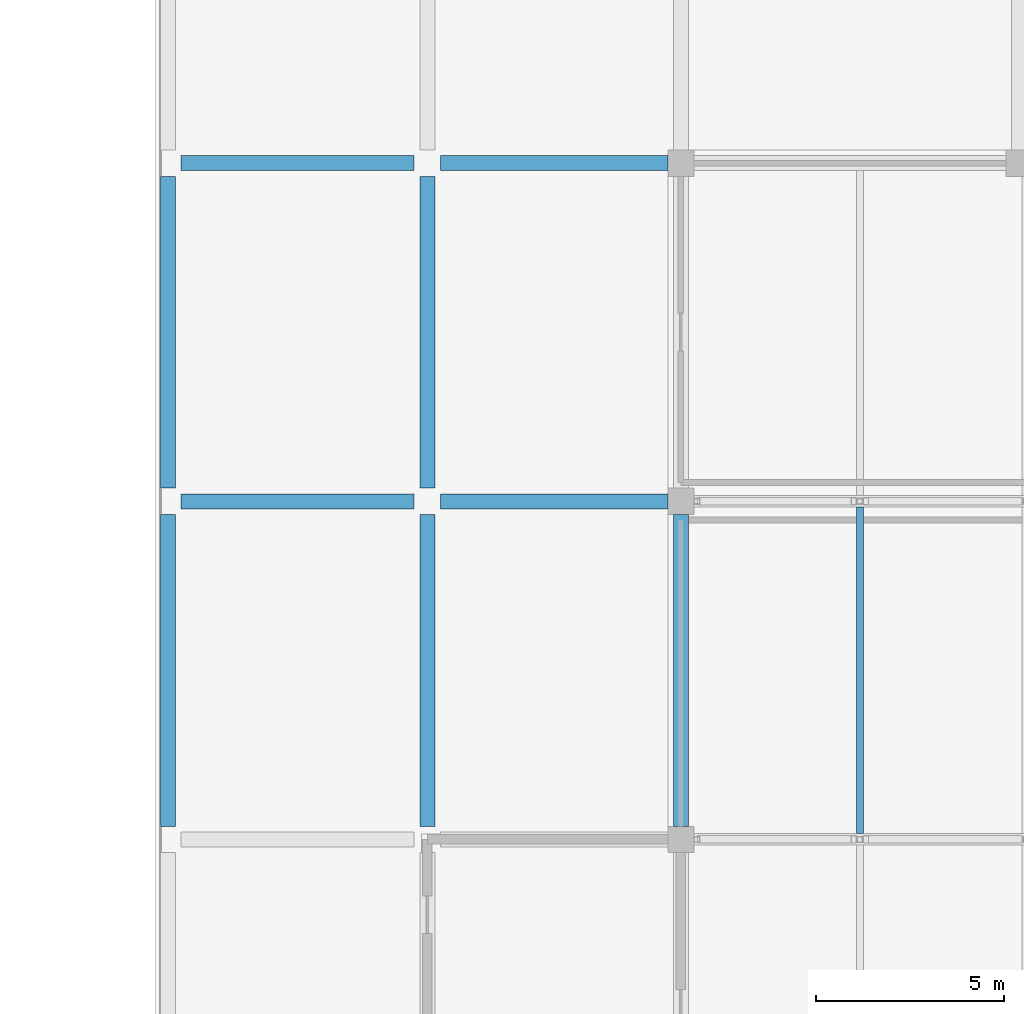
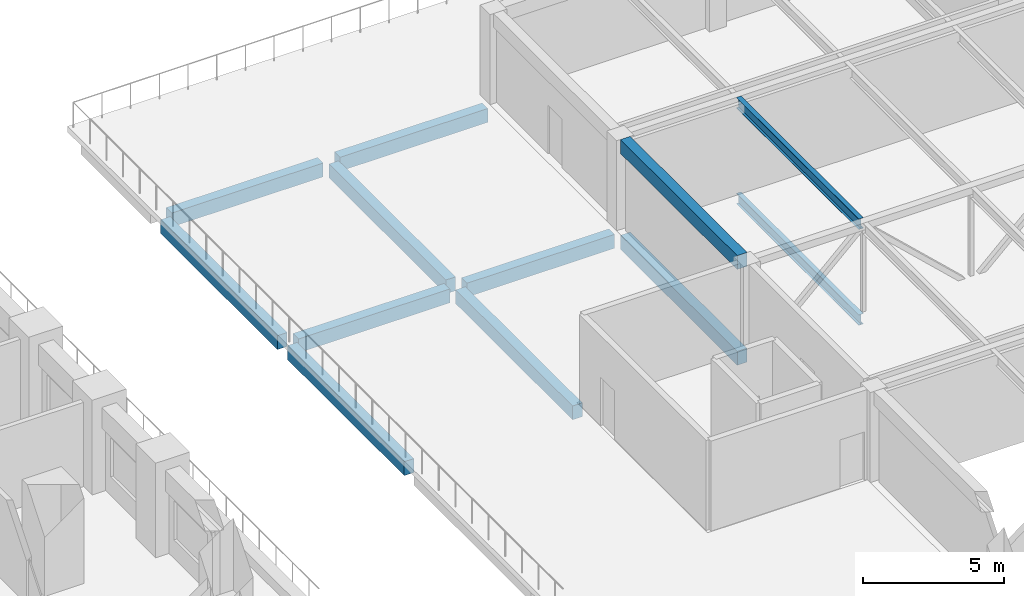
# One storey, part 10 of 30: 12 beams.
"""IFC4 building model written with IfcOpenShell, lengths in metres."""

import ifcopenshell
import ifcopenshell.guid

model = None  # the IFC model being written
_history = None  # IfcOwnerHistory: only IFC2X3 demands one
_inside = {}  # id of a spatial element -> (the spatial element, [elements in it])
_under = {}  # id of a project, library or spatial element -> (it, [spatial elements below it])
_declared = {}  # id of a project -> (the project, [libraries it declares])
_typed = {}  # id of a type object -> (the type object, [elements of that type])
_made_of = {}  # id of a material, layer set ... -> (it, [elements and type objects made of it])


def new_model(schema):
    """Start an empty IFC model of exactly this schema.

    Asked for "IFC4X3", IfcOpenShell would pick the latest addendum, in which some entities
    have other attributes; the version numbers below select the first issue.
    IFC2X3 requires an IfcOwnerHistory on every rooted entity: one is made here for all.
    """
    global model, _history
    if schema == "IFC4X3":
        model = ifcopenshell.file(schema_version=(4, 3, 0, 0))
    else:
        model = ifcopenshell.file(schema=schema)
    _inside.clear()
    _under.clear()
    _declared.clear()
    _typed.clear()
    _made_of.clear()
    _history = None
    if model.schema == "IFC2X3":
        org = make("IfcOrganization", Name="unknown")
        user = make(
            "IfcPersonAndOrganization",
            ThePerson=make("IfcPerson", FamilyName="unknown"),
            TheOrganization=org,
        )
        app = make(
            "IfcApplication",
            ApplicationDeveloper=org,
            Version="unknown",
            ApplicationFullName="unknown",
            ApplicationIdentifier="unknown",
        )
        _history = make(
            "IfcOwnerHistory",
            OwningUser=user,
            OwningApplication=app,
            ChangeAction="ADDED",
            CreationDate=0,
        )
    return model


def make(cls, **values):
    """One entity of the class cls with the attributes given. An attribute that is None is left unset."""
    return model.create_entity(
        cls, **{name: value for name, value in values.items() if value is not None}
    )


def rooted(cls, **values):
    """An entity with a GlobalId (a new one), such as an element, a storey or a relation."""
    return make(cls, GlobalId=ifcopenshell.guid.new(), OwnerHistory=_history, **values)


def si_unit(unit_type, name, prefix=None):
    """IfcSIUnit, for example si_unit("LENGTHUNIT", "METRE", prefix="MILLI")."""
    return make("IfcSIUnit", UnitType=unit_type, Prefix=prefix, Name=name)


def assignment(units):
    """IfcUnitAssignment: the units of a project."""
    return None if units is None else make("IfcUnitAssignment", Units=units)


def point(xyz):
    """IfcCartesianPoint."""
    return None if xyz is None else make("IfcCartesianPoint", Coordinates=xyz)


def direction(xyz):
    """IfcDirection."""
    return None if xyz is None else make("IfcDirection", DirectionRatios=xyz)


def frame(location, z_axis=None, x_axis=None):
    """IfcAxis2Placement3D, a coordinate frame: its origin and axes. An axis left out is left unset."""
    return make(
        "IfcAxis2Placement3D",
        Location=point(location),
        Axis=direction(z_axis),
        RefDirection=direction(x_axis),
    )


def frame_2d(location, x_axis=None):
    """IfcAxis2Placement2D, a coordinate frame in the plane: its origin and x axis."""
    return make(
        "IfcAxis2Placement2D", Location=point(location), RefDirection=direction(x_axis)
    )


def origin():
    """The frame at (0, 0, 0) with its axes left unset."""
    return frame((0.0, 0.0, 0.0))


def origin_2d():
    """The frame at (0, 0) in the plane with its x axis left unset."""
    return frame_2d((0.0, 0.0))


def place(relative_to, where):
    """IfcLocalPlacement: puts the frame where relative to a parent placement (None: the world)."""
    return make(
        "IfcLocalPlacement", PlacementRelTo=relative_to, RelativePlacement=where
    )


def context(
    kind, dimensions, precision=None, world=None, true_north=None, identifier=None
):
    """IfcGeometricRepresentationContext, for example the 3D "Model" context."""
    return make(
        "IfcGeometricRepresentationContext",
        ContextIdentifier=identifier,
        ContextType=kind,
        CoordinateSpaceDimension=dimensions,
        Precision=precision,
        WorldCoordinateSystem=world,
        TrueNorth=true_north,
    )


def subcontext(parent, identifier, kind, view, scale=None):
    """IfcGeometricRepresentationSubContext, for example "Body" below "Model"."""
    return make(
        "IfcGeometricRepresentationSubContext",
        ContextIdentifier=identifier,
        ContextType=kind,
        ParentContext=parent,
        TargetScale=scale,
        TargetView=view,
    )


def project(units=None, contexts=None):
    """IfcProject with its units and contexts."""
    return rooted(
        "IfcProject",
        Name="project",
        RepresentationContexts=contexts,
        UnitsInContext=assignment(units),
    )


def spatial(cls, under=None, at=None, **own):
    """A site, building, storey or space (cls), placed at a placement, below another one or the project."""
    s = rooted(cls, ObjectPlacement=at, **own)
    if under is not None:
        _under.setdefault(under.id(), (under, []))[1].append(s)
    return s


def profile(cls, at=None, kind="AREA", **sizes):
    """A parametric profile (cls). Its sizes go by their IFC names, for example OverallWidth=200.0."""
    return make(cls, ProfileType=kind, Position=at, **sizes)


def rectangle(**sizes):
    """IfcRectangleProfileDef."""
    return profile("IfcRectangleProfileDef", **sizes)


def i_section(**sizes):
    """IfcIShapeProfileDef."""
    return profile("IfcIShapeProfileDef", **sizes)


def extrude(swept, where, along, depth):
    """IfcExtrudedAreaSolid: the profile swept, set in the frame where, extruded along a direction by depth."""
    return make(
        "IfcExtrudedAreaSolid",
        SweptArea=swept,
        Position=where,
        ExtrudedDirection=direction(along),
        Depth=depth,
    )


def shape(context_of_items, identifier, shape_type, items):
    """IfcShapeRepresentation: the items that make up one representation, for example the "Body"."""
    return make(
        "IfcShapeRepresentation",
        ContextOfItems=context_of_items,
        RepresentationIdentifier=identifier,
        RepresentationType=shape_type,
        Items=items,
    )


def material(Name=None, Category=None):
    """IfcMaterial."""
    return make("IfcMaterial", Name=Name, Category=Category)


def material_profile(
    of_material, cross_section, Name=None, Category=None, Priority=None
):
    """IfcMaterialProfile: a cross section and its material."""
    return make(
        "IfcMaterialProfile",
        Name=Name,
        Material=of_material,
        Profile=cross_section,
        Priority=Priority,
        Category=Category,
    )


def profile_set(profiles, Name=None, composite=None):
    """IfcMaterialProfileSet."""
    return make(
        "IfcMaterialProfileSet",
        Name=Name,
        MaterialProfiles=profiles,
        CompositeProfile=composite,
    )


def made_of(thing, what):
    """Note that an element or type object is made of a material, layer set ...; save() writes the relation."""
    if what is not None:
        _made_of.setdefault(what.id(), (what, []))[1].append(thing)
    return thing


def type_object(cls, material=None, **own):
    """A type object (cls), such as IfcWallType, which elements share."""
    return made_of(rooted(cls, **own), material)


def element(
    cls,
    number,
    at=None,
    inside=None,
    cuts=None,
    type_object=None,
    material=None,
    context=None,
    identifier="Body",
    shape_type=None,
    held_by="IfcProductDefinitionShape",
    body=None,
    shapes=None,
    **own,
):
    """One element of the class cls, such as IfcWall. Its Tag is "e" and its number.

    at: its placement. inside: the storey or other place that contains it. cuts: it is an
    opening in that element (IfcRelVoidsElement). A single representation is given by context,
    identifier, shape_type and body (its items); several are given by shapes. held_by: the class
    of the entity that holds the representations. save() writes the other relations.
    """
    e = rooted(cls, Tag="e%d" % number, ObjectPlacement=at, **own)
    if body is not None:
        shapes = [shape(context, identifier, shape_type, body)]
    if shapes is not None:
        e.Representation = make(held_by, Representations=shapes)
    if inside is not None:
        _inside.setdefault(inside.id(), (inside, []))[1].append(e)
    if cuts is not None:
        rooted(
            "IfcRelVoidsElement", RelatingBuildingElement=cuts, RelatedOpeningElement=e
        )
    if type_object is not None:
        _typed.setdefault(type_object.id(), (type_object, []))[1].append(e)
    return made_of(e, material)


def aggregate(whole, parts):
    """IfcRelAggregates: a whole, such as a stair, and the parts it consists of."""
    return rooted("IfcRelAggregates", RelatingObject=whole, RelatedObjects=parts)


def save(model, path):
    """Write the relations noted so far, then the file.

    IfcRelAggregates (storeys below a building ...), IfcRelContainedInSpatialStructure (elements
    in a storey), IfcRelDefinesByType, IfcRelAssociatesMaterial and IfcRelDeclares: one each for
    every whole, place, type object, material and project.
    """
    for whole, parts in _under.values():
        aggregate(whole, parts)
    for where, things in _inside.values():
        rooted(
            "IfcRelContainedInSpatialStructure",
            RelatedElements=things,
            RelatingStructure=where,
        )
    for kind, things in _typed.values():
        rooted("IfcRelDefinesByType", RelatedObjects=things, RelatingType=kind)
    for what, things in _made_of.values():
        rooted("IfcRelAssociatesMaterial", RelatedObjects=things, RelatingMaterial=what)
    for by, libraries in _declared.values():
        rooted("IfcRelDeclares", RelatingContext=by, RelatedDefinitions=libraries)
    model.write(path)


model = new_model("IFC4")

# Units and contexts
model_context = context("Model", 3, precision=1e-05, world=origin(), true_north=direction((0.0, 1.0)))
body_context = subcontext(model_context, "Body", "Model", "MODEL_VIEW")
ifc_project = project(units=[si_unit("LENGTHUNIT", "METRE"), si_unit("AREAUNIT", "SQUARE_METRE"), si_unit("VOLUMEUNIT", "CUBIC_METRE"), si_unit("PLANEANGLEUNIT", "RADIAN"), si_unit("MASSUNIT", "GRAM", prefix="KILO")], contexts=[model_context])

# Site, building, storey
site_placement = place(None, origin())
site = spatial("IfcSite", under=ifc_project, at=site_placement, CompositionType="ELEMENT")
building_placement = place(site_placement, origin())
building = spatial("IfcBuilding", under=site, at=building_placement, Name="Corbel Stack Research Tower", CompositionType="ELEMENT")
storey_placement = place(building_placement, frame((0.0, 0.0, 19.5)))
storey = spatial("IfcBuildingStorey", under=building, at=storey_placement, Name="L04", CompositionType="ELEMENT", Elevation=19.5)

# Beams
ifc_material_1 = material(Name="Concrete C40/50", Category="concrete")
ifc_material_profile_1 = material_profile(ifc_material_1, rectangle(XDim=0.39990234375, YDim=0.60009765625, at=origin_2d()), Name="RC 400 x 600")
ifc_profile_set_1 = profile_set([ifc_material_profile_1], Name="Concrete C40/50")
beam_type_1 = type_object("IfcBeamType", Name="HB1 RC beam 400 x 600", PredefinedType="BEAM", material=ifc_profile_set_1)
beam_1_placement = place(storey_placement, frame((37.300048828125, 0.35009765625, -0.550048828125), z_axis=(0.0, 1.0, 0.0), x_axis=(-1.0, 0.0, 0.0)))
element("IfcBeam", 1, at=beam_1_placement, inside=storey, type_object=beam_type_1, Name="Floor beam L04 H1HD-H1HE", PredefinedType="BEAM", context=body_context, shape_type="SweptSolid", body=[
    extrude(rectangle(XDim=0.39990234375, YDim=0.60009765625, at=origin_2d()), origin(), (0.0, 0.0, 1.0), 8.2998046875),
])
beam_2_placement = place(storey_placement, frame((37.64990234375, 9.0, -0.550048828125), z_axis=(1.0, 0.0, 0.0), x_axis=(0.0, 1.0, 0.0)))
element("IfcBeam", 2, at=beam_2_placement, inside=storey, type_object=beam_type_1, Name="Floor beam L04 H1HE-H2HE", PredefinedType="BEAM", context=body_context, shape_type="SweptSolid", body=[
    extrude(rectangle(XDim=0.39990234375, YDim=0.60009765625, at=origin_2d()), origin(), (0.0, 0.0, 1.0), 6.2001953125),
])
beam_3_placement = place(storey_placement, frame((37.300048828125, 9.35009765625, -0.550048828125), z_axis=(0.0, 1.0, 0.0), x_axis=(-1.0, 0.0, 0.0)))
element("IfcBeam", 3, at=beam_3_placement, inside=storey, type_object=beam_type_1, Name="Floor beam L04 H1HE-H1HF", PredefinedType="BEAM", context=body_context, shape_type="SweptSolid", body=[
    extrude(rectangle(XDim=0.39990234375, YDim=0.60009765625, at=origin_2d()), origin(), (0.0, 0.0, 1.0), 8.2998046875),
])
beam_4_placement = place(storey_placement, frame((37.64990234375, 18.0, -0.550048828125), z_axis=(1.0, 0.0, 0.0), x_axis=(0.0, 1.0, 0.0)))
element("IfcBeam", 4, at=beam_4_placement, inside=storey, type_object=beam_type_1, Name="Floor beam L04 H1HF-H2HF", PredefinedType="BEAM", context=body_context, shape_type="SweptSolid", body=[
    extrude(rectangle(XDim=0.39990234375, YDim=0.60009765625, at=origin_2d()), origin(), (0.0, 0.0, 1.0), 6.2001953125),
])
beam_5_placement = place(storey_placement, frame((44.199951171875, 0.35009765625, -0.550048828125), z_axis=(0.0, 1.0, 0.0), x_axis=(-1.0, 0.0, 0.0)))
element("IfcBeam", 5, at=beam_5_placement, inside=storey, type_object=beam_type_1, Name="Floor beam L04 H2HD-H2HE", PredefinedType="BEAM", context=body_context, shape_type="SweptSolid", body=[
    extrude(rectangle(XDim=0.39990234375, YDim=0.60009765625, at=origin_2d()), origin(), (0.0, 0.0, 1.0), 8.2998046875),
])
beam_6_placement = place(storey_placement, frame((44.550048828125, 9.0, -0.550048828125), z_axis=(1.0, 0.0, 0.0), x_axis=(0.0, 1.0, 0.0)))
element("IfcBeam", 6, at=beam_6_placement, inside=storey, type_object=beam_type_1, Name="Floor beam L04 H2HE-H3HE", PredefinedType="BEAM", context=body_context, shape_type="SweptSolid", body=[
    extrude(rectangle(XDim=0.39990234375, YDim=0.60009765625, at=origin_2d()), origin(), (0.0, 0.0, 1.0), 6.050048828125),
])
beam_7_placement = place(storey_placement, frame((44.199951171875, 9.35009765625, -0.550048828125), z_axis=(0.0, 1.0, 0.0), x_axis=(-1.0, 0.0, 0.0)))
element("IfcBeam", 7, at=beam_7_placement, inside=storey, type_object=beam_type_1, Name="Floor beam L04 H2HE-H2HF", PredefinedType="BEAM", context=body_context, shape_type="SweptSolid", body=[
    extrude(rectangle(XDim=0.39990234375, YDim=0.60009765625, at=origin_2d()), origin(), (0.0, 0.0, 1.0), 8.2998046875),
])
beam_8_placement = place(storey_placement, frame((44.550048828125, 18.0, -0.550048828125), z_axis=(1.0, 0.0, 0.0), x_axis=(0.0, 1.0, 0.0)))
element("IfcBeam", 8, at=beam_8_placement, inside=storey, type_object=beam_type_1, Name="Floor beam L04 H2HF-H3HF", PredefinedType="BEAM", context=body_context, shape_type="SweptSolid", body=[
    extrude(rectangle(XDim=0.39990234375, YDim=0.60009765625, at=origin_2d()), origin(), (0.0, 0.0, 1.0), 6.050048828125),
])
for number, where, z_axis, x_axis, name in (
    (9, (50.949951171875, 0.35009765625, -0.550048828125), (0.0, 1.0, 0.0), (-1.0, 0.0, 0.0), "Floor beam L04 H3HD-H3HE"),
    (10, (50.949951171875, 0.35009765625, 3.60009765625), (0.0, 1.0, 0.0), (-1.0, 0.0, 0.0), "Floor beam R H3HD-H3HE"),
):
    element("IfcBeam", number, at=place(storey_placement, frame(where, z_axis=z_axis, x_axis=x_axis)), inside=storey, type_object=beam_type_1, Name=name, PredefinedType="BEAM", context=body_context, shape_type="SweptSolid", body=[
        extrude(rectangle(XDim=0.39990234375, YDim=0.60009765625, at=origin_2d()), origin(), (0.0, 0.0, 1.0), 8.2998046875),
    ])
ifc_material_2 = material(Name="Steel S355", Category="steel")
ifc_material_profile_2 = material_profile(ifc_material_2, i_section(OverallWidth=0.18994140625, OverallDepth=0.45703125, WebThickness=0.009033203125, FlangeThickness=0.013916015625, at=origin_2d()), Name="W18x50")
ifc_profile_set_2 = profile_set([ifc_material_profile_2], Name="Steel S355")
beam_type_2 = type_object("IfcBeamType", Name="HB3 steel beam W18x50", PredefinedType="BEAM", material=ifc_profile_set_2)
for number, where, z_axis, x_axis, name in (
    (11, (55.71240234375, 0.152587890625, -0.478515625), (0.0, 1.0, 0.0), (-1.0, 0.0, 0.0), "Steel floor beam L04 bay 3 line 1"),
    (12, (55.71240234375, 0.152587890625, 3.67138671875), (0.0, 1.0, 0.0), (-1.0, 0.0, 0.0), "Steel floor beam R bay 3 line 1"),
):
    element("IfcBeam", number, at=place(storey_placement, frame(where, z_axis=z_axis, x_axis=x_axis)), inside=storey, type_object=beam_type_2, Name=name, PredefinedType="BEAM", context=body_context, shape_type="SweptSolid", body=[
        extrude(i_section(OverallWidth=0.18994140625, OverallDepth=0.45703125, WebThickness=0.009033203125, FlangeThickness=0.013916015625, at=origin_2d()), origin(), (0.0, 0.0, 1.0), 8.69482421875),
    ])

save(model, "model.ifc")
